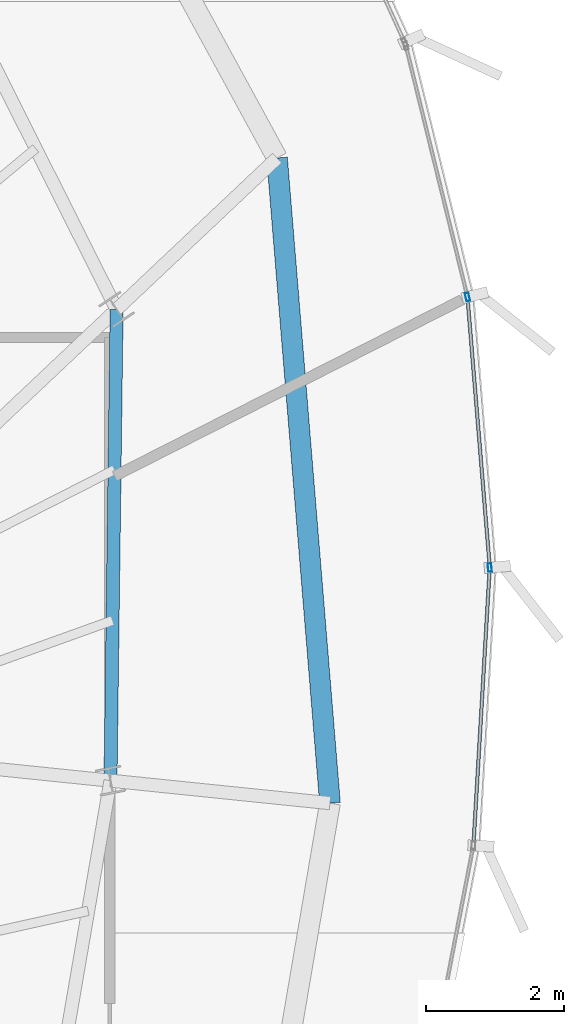
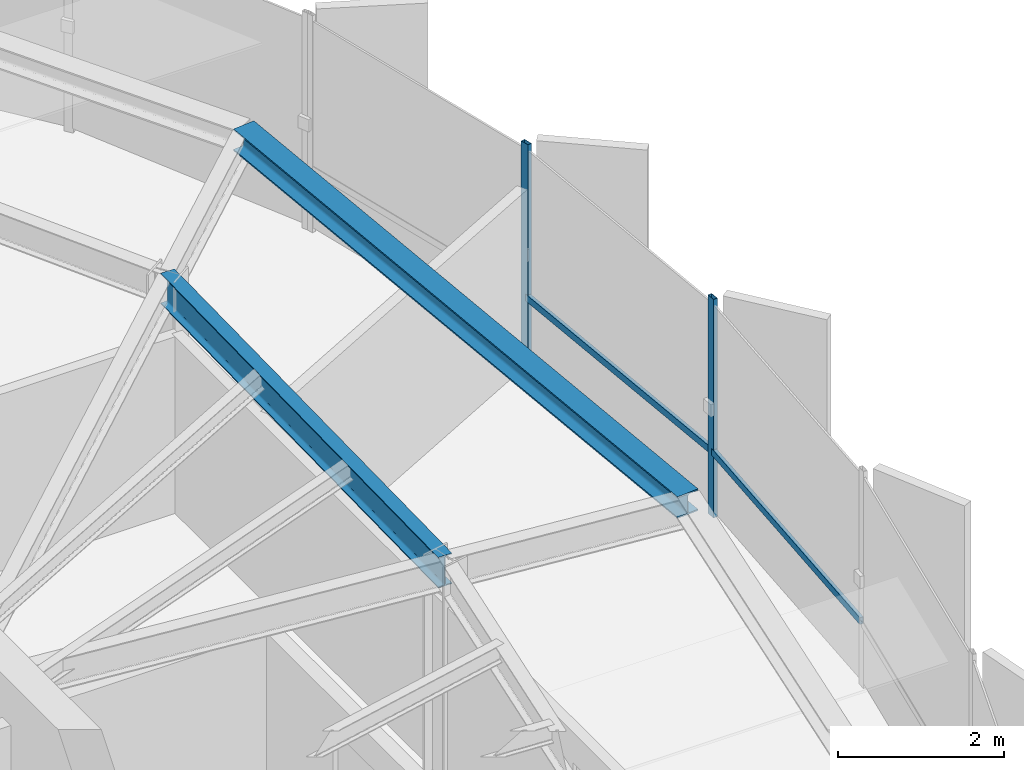
# One storey, part 16 of 32: 4 members, 2 beams, 1 element without a shape of its own.
"""IFC4 building model written with IfcOpenShell, lengths in metres."""

from ifc_helpers import new_model, si_unit, direction, frame, origin, origin_2d, place, context, subcontext, project, spatial, hollow_rectangle, i_section, extrude, source, transform, mapped, material, layer, layer_set, material_profile, profile_set, type_object, element, aggregate, save


model = new_model("IFC4")

# Units and contexts
model_context = context("Model", 3, precision=1e-05, world=origin(), true_north=direction((0.0, 1.0)))
body_context = subcontext(model_context, "Body", "Model", "MODEL_VIEW")
ifc_project = project(units=[si_unit("LENGTHUNIT", "METRE"), si_unit("AREAUNIT", "SQUARE_METRE"), si_unit("VOLUMEUNIT", "CUBIC_METRE"), si_unit("PLANEANGLEUNIT", "RADIAN"), si_unit("MASSUNIT", "GRAM", prefix="KILO"), si_unit("THERMODYNAMICTEMPERATUREUNIT", "KELVIN")], contexts=[model_context])

# Site, building, storey
site_placement = place(None, origin())
site = spatial("IfcSite", under=ifc_project, at=site_placement, CompositionType="ELEMENT")
building_placement = place(site_placement, origin())
building = spatial("IfcBuilding", under=site, at=building_placement, Name="Kethvar Cultural Tower", CompositionType="ELEMENT")
storey_placement = place(building_placement, frame((0.0, 0.0, 273.25)))
storey = spatial("IfcBuildingStorey", under=building, at=storey_placement, Name="L72", CompositionType="ELEMENT", Elevation=273.25)

# Beams
ifc_material_1 = material(Name="Steel S355J2", Category="steel")
ifc_material_profile_1 = material_profile(ifc_material_1, i_section(OverallWidth=0.18994140625, OverallDepth=0.449951171875, WebThickness=0.009521484375, FlangeThickness=0.0146484375, FilletRadius=0.02099609375, at=origin_2d()), Name="Steel S355J2 — IPE450")
ifc_profile_set_1 = profile_set([ifc_material_profile_1], Name="Steel S355J2 — IPE450")
beam_type_1 = type_object("IfcBeamType", Name="BM-IPE450", PredefinedType="BEAM", material=ifc_profile_set_1)
shared_shape_1 = source(origin(), body_context, "Body", "SweptSolid", [
    extrude(i_section(OverallWidth=0.18994140625, OverallDepth=0.449951171875, WebThickness=0.009521484375, FlangeThickness=0.0146484375, FilletRadius=0.02099609375, at=origin_2d()), origin(), (0.0, 0.0, 1.0), 6.834716796875),
])
beam_1_placement = place(storey_placement, frame((61.237060546875, 30.671630859375, 2.98291015625), z_axis=(0.012966437445, 0.999915932216, 0.0), x_axis=(-0.999915932216, 0.012966437445, 0.0)))
element("IfcBeam", 1, at=beam_1_placement, inside=storey, type_object=beam_type_1, Name="L72 Column Ring Tie Beam CR-01", PredefinedType="BEAM", context=body_context, shape_type="MappedRepresentation", body=[
    mapped(shared_shape_1, transform((0.0, 0.0, 0.0), scale=1.0)),
])
ifc_material_profile_2 = material_profile(ifc_material_1, i_section(OverallWidth=0.300048828125, OverallDepth=0.320068359375, WebThickness=0.011474609375, FlangeThickness=0.0205078125, FilletRadius=0.027099609375, at=origin_2d()), Name="Steel S355J2 — HEB320")
ifc_profile_set_2 = profile_set([ifc_material_profile_2], Name="Steel S355J2 — HEB320")
beam_type_2 = type_object("IfcBeamType", Name="BM-SP320", PredefinedType="SPANDREL", material=ifc_profile_set_2)
shared_shape_2 = source(origin(), body_context, "Body", "SweptSolid", [
    extrude(i_section(OverallWidth=0.300048828125, OverallDepth=0.320068359375, WebThickness=0.011474609375, FlangeThickness=0.0205078125, FilletRadius=0.027099609375, at=origin_2d()), origin(), (0.0, 0.0, 1.0), 9.388916015625),
])
beam_2_placement = place(storey_placement, frame((64.42041015625, 30.34521484375, 3.048095703125), z_axis=(-0.08178004371, 0.996650402323, 0.0), x_axis=(-0.996650402323, -0.08178004371, 0.0)))
element("IfcBeam", 2, at=beam_2_placement, inside=storey, type_object=beam_type_2, Name="L72 Perimeter Spandrel Beam SP-01", PredefinedType="SPANDREL", context=body_context, shape_type="MappedRepresentation", body=[
    mapped(shared_shape_2, transform((0.0, 0.0, 0.0), scale=1.0)),
])

# Curtain wall, members
ifc_material_2 = material(Name="Aluminium 6063-T6", Category="aluminium")
ifc_layer = layer(ifc_material_2, 0.179931640625, Name="Aluminium 6063-T6", Category="aluminium")
ifc_layer_set = layer_set([ifc_layer], Name="Aluminium 6063-T6 (180 mm)")
curtain_wall_type = type_object("IfcCurtainWallType", Name="CW-SYS-05-Z56", PredefinedType="NOTDEFINED", material=ifc_layer_set)
curtain_wall_placement = place(storey_placement, origin())
curtain_wall = element("IfcCurtainWall", 3, at=curtain_wall_placement, inside=storey, type_object=curtain_wall_type, Name="L72 Curtain Wall Run 06", PredefinedType="NOTDEFINED")
ifc_material_profile_3 = material_profile(ifc_material_2, hollow_rectangle(XDim=0.054931640625, YDim=0.1201171875, WallThickness=0.00390625, at=origin_2d()), Name="Aluminium 6063-T6 — RHS120x55x4")
ifc_profile_set_3 = profile_set([ifc_material_profile_3], Name="Aluminium 6063-T6 — RHS120x55x4")
member_type_1 = type_object("IfcMemberType", Name="CW-SYS-05-Z56-MUL", PredefinedType="MULLION", material=ifc_profile_set_3)
shared_shape_3 = source(origin(), body_context, "Body", "SweptSolid", [
    extrude(hollow_rectangle(XDim=0.054931640625, YDim=0.1201171875, WallThickness=0.00390625, at=origin_2d()), origin(), (0.0, 0.0, 1.0), 3.2099609375),
])
member_1_placement = place(storey_placement, frame((66.73828125, 33.76171875, 0.0), z_axis=(0.0, 0.0, 1.0), x_axis=(-0.996608724165, -0.082286395708, 0.0)))
member_1 = element("IfcMember", 4, at=member_1_placement, type_object=member_type_1, Name="CW-L72-R06 Mullion 5", PredefinedType="MULLION", context=body_context, shape_type="MappedRepresentation", body=[
    mapped(shared_shape_3, transform((0.0, 0.0, 0.0), scale=1.0)),
])
member_2_placement = place(storey_placement, frame((66.41552734375, 37.686767578125, 0.0), z_axis=(0.0, 0.0, 1.0), x_axis=(-0.971138442956, -0.238516508052, 0.0)))
member_2 = element("IfcMember", 5, at=member_2_placement, type_object=member_type_1, Name="CW-L72-R06 Mullion 6", PredefinedType="MULLION", context=body_context, shape_type="MappedRepresentation", body=[
    mapped(shared_shape_3, transform((0.0, 0.0, 0.0), scale=1.0)),
])
ifc_material_profile_4 = material_profile(ifc_material_2, hollow_rectangle(XDim=0.050048828125, YDim=0.10009765625, WallThickness=0.00390625, at=origin_2d()), Name="Aluminium 6063-T6 — RHS100x50x4")
ifc_profile_set_4 = profile_set([ifc_material_profile_4], Name="Aluminium 6063-T6 — RHS100x50x4")
member_type_2 = type_object("IfcMemberType", Name="CW-SYS-05-Z56-TRN", PredefinedType="USERDEFINED", material=ifc_profile_set_4)
shared_shape_4 = source(origin(), body_context, "Body", "SweptSolid", [
    extrude(hollow_rectangle(XDim=0.050048828125, YDim=0.10009765625, WallThickness=0.00390625, at=origin_2d()), origin(), (0.0, 0.0, 1.0), 3.9716796875),
])
member_3_placement = place(storey_placement, frame((66.50341796875, 29.771240234375, 0.949951171875), z_axis=(0.058581486848, 0.99828263002, 0.0), x_axis=(-0.99828263002, 0.058581486848, 0.0)))
member_3 = element("IfcMember", 6, at=member_3_placement, type_object=member_type_2, Name="CW-L72-R06 Transom 4", ObjectType="TRANSOM", PredefinedType="USERDEFINED", context=body_context, shape_type="MappedRepresentation", body=[
    mapped(shared_shape_4, transform((0.0, 0.0, 0.0), scale=1.0)),
])
shared_shape_5 = source(origin(), body_context, "Body", "SweptSolid", [
    extrude(hollow_rectangle(XDim=0.050048828125, YDim=0.10009765625, WallThickness=0.00390625, at=origin_2d()), origin(), (0.0, 0.0, 1.0), 3.875244140625),
])
member_4_placement = place(storey_placement, frame((66.735107421875, 33.801025390625, 0.949951171875), z_axis=(-0.082279018222, 0.99660933327, 0.0), x_axis=(-0.99660933327, -0.082279018222, 0.0)))
member_4 = element("IfcMember", 7, at=member_4_placement, type_object=member_type_2, Name="CW-L72-R06 Transom 5", ObjectType="TRANSOM", PredefinedType="USERDEFINED", context=body_context, shape_type="MappedRepresentation", body=[
    mapped(shared_shape_5, transform((0.0, 0.0, 0.0), scale=1.0)),
])
aggregate(curtain_wall, [member_1, member_2, member_3, member_4])

save(model, "model.ifc")
